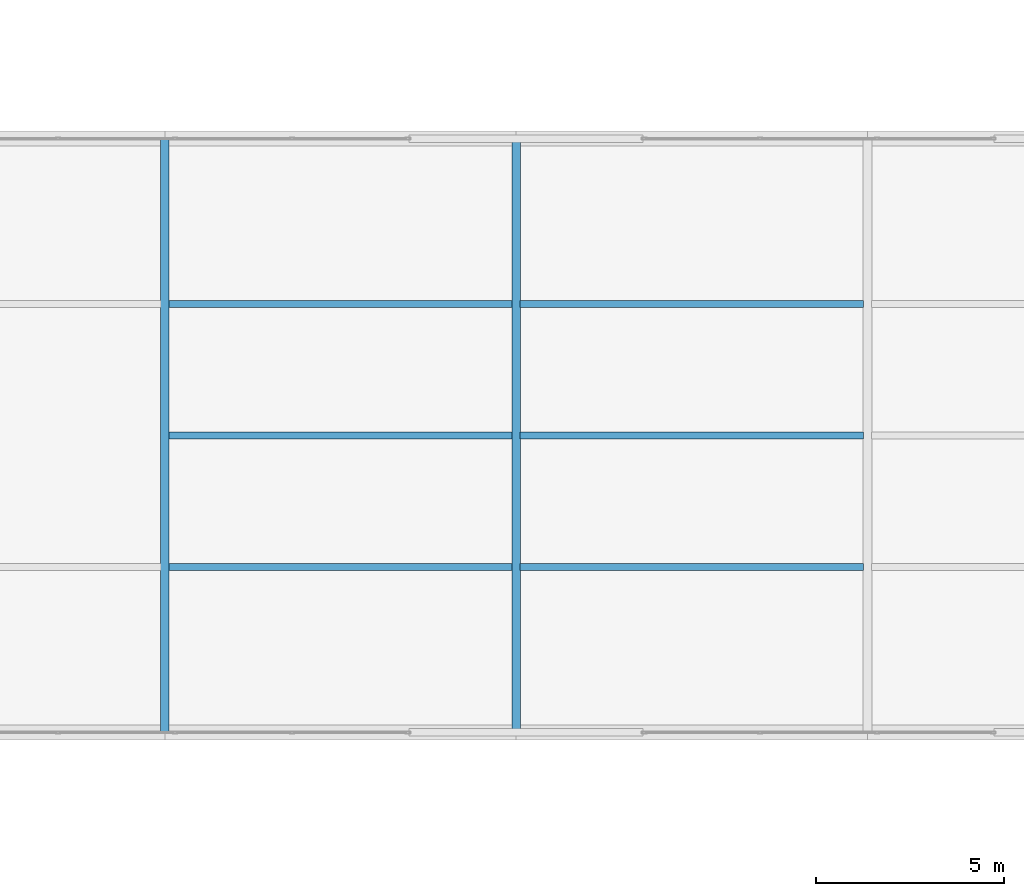
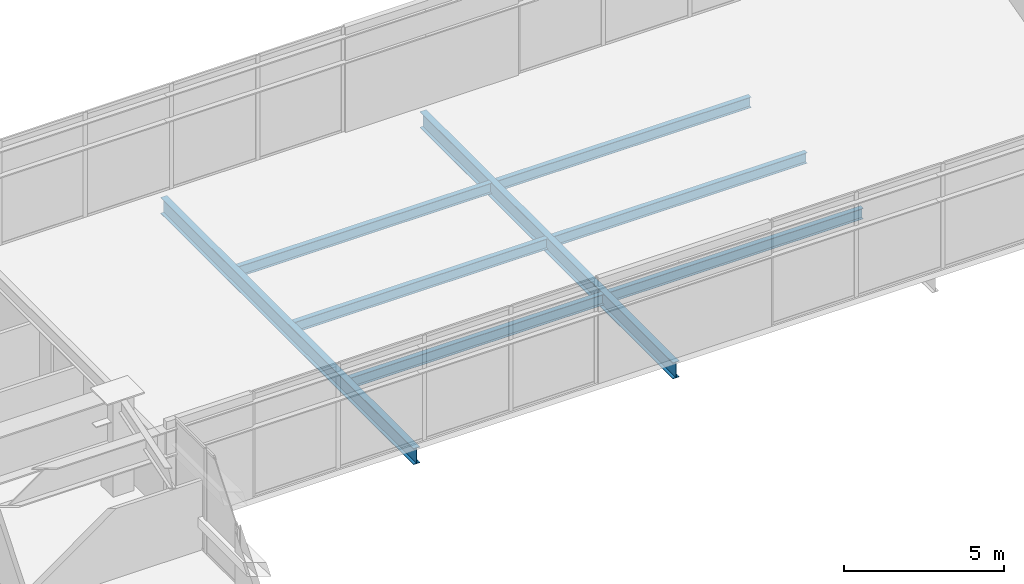
# One storey, part 23 of 51: 8 beams.
"""IFC4 building model written with IfcOpenShell, lengths in metres."""

from ifc_helpers import new_model, si_unit, direction, frame, origin, origin_2d, place, context, subcontext, project, spatial, i_section, extrude, material, material_profile, profile_set, type_object, element, save


model = new_model("IFC4")

# Units and contexts
model_context = context("Model", 3, precision=1e-05, world=origin(), true_north=direction((0.0, 1.0)))
body_context = subcontext(model_context, "Body", "Model", "MODEL_VIEW")
ifc_project = project(units=[si_unit("LENGTHUNIT", "METRE"), si_unit("AREAUNIT", "SQUARE_METRE"), si_unit("VOLUMEUNIT", "CUBIC_METRE"), si_unit("PLANEANGLEUNIT", "RADIAN"), si_unit("MASSUNIT", "GRAM", prefix="KILO")], contexts=[model_context])

# Site, building, storey
site_placement = place(None, origin())
site = spatial("IfcSite", under=ifc_project, at=site_placement, CompositionType="ELEMENT")
building_placement = place(site_placement, origin())
building = spatial("IfcBuilding", under=site, at=building_placement, Name="Tashvorn Skyway Center", CompositionType="ELEMENT")
storey_placement = place(building_placement, frame((0.0, 0.0, 259.39990234375)))
storey = spatial("IfcBuildingStorey", under=building, at=storey_placement, Name="L70", CompositionType="ELEMENT", Elevation=259.39990234375)

# Beams
ifc_material = material(Name="Steel ASTM A992 Grade 50", Category="steel")
ifc_material_profile_1 = material_profile(ifc_material, i_section(OverallWidth=0.22998046875, OverallDepth=0.616943359375, WebThickness=0.01318359375, FlangeThickness=0.022216796875, at=origin_2d()), Name="W24X94")
ifc_profile_set_1 = profile_set([ifc_material_profile_1], Name="Steel ASTM A992 Grade 50")
beam_type_1 = type_object("IfcBeamType", Name="BM-BEAM-W24X94", PredefinedType="BEAM", material=ifc_profile_set_1)
for number, where, z_axis, x_axis, name in (
    (1, (66.39990234375, 24.10009765625, -0.5283203125), (0.0, 1.0, 0.0), (-1.0, 0.0, 0.0), "Sky-Park L70 Transverse Floor Beam 07"),
    (2, (75.75, 24.10009765625, -0.5283203125), (0.0, 1.0, 0.0), (-1.0, 0.0, 0.0), "Sky-Park L70 Transverse Floor Beam 08"),
):
    element("IfcBeam", number, at=place(storey_placement, frame(where, z_axis=z_axis, x_axis=x_axis)), inside=storey, type_object=beam_type_1, Name=name, PredefinedType="BEAM", context=body_context, shape_type="SweptSolid", body=[
        extrude(i_section(OverallWidth=0.22998046875, OverallDepth=0.616943359375, WebThickness=0.01318359375, FlangeThickness=0.022216796875, at=origin_2d()), origin(), (0.0, 0.0, 1.0), 15.7998046875),
    ])
ifc_material_profile_2 = material_profile(ifc_material, i_section(OverallWidth=0.177978515625, OverallDepth=0.406005859375, WebThickness=0.0078125, FlangeThickness=0.0126953125, at=origin_2d()), Name="W16X40")
ifc_profile_set_2 = profile_set([ifc_material_profile_2], Name="Steel ASTM A992 Grade 50")
beam_type_2 = type_object("IfcBeamType", Name="BM-JOIST-W16X40", PredefinedType="JOIST", material=ifc_profile_set_2)
for number, where, z_axis, x_axis, name in (
    (3, (66.507080078125, 28.5, -0.4228515625), (1.0, 0.0, 0.0), (0.0, 1.0, 0.0), "Sky-Park L70 Longitudinal Joist 07-1"),
    (4, (66.507080078125, 32.0, -0.4228515625), (1.0, 0.0, 0.0), (0.0, 1.0, 0.0), "Sky-Park L70 Longitudinal Joist 07-2"),
    (5, (66.507080078125, 35.5, -0.4228515625), (1.0, 0.0, 0.0), (0.0, 1.0, 0.0), "Sky-Park L70 Longitudinal Joist 07-3"),
    (6, (75.85693359375, 28.5, -0.4228515625), (1.0, 0.0, 0.0), (0.0, 1.0, 0.0), "Sky-Park L70 Longitudinal Joist 08-1"),
    (7, (75.85693359375, 32.0, -0.4228515625), (1.0, 0.0, 0.0), (0.0, 1.0, 0.0), "Sky-Park L70 Longitudinal Joist 08-2"),
    (8, (75.85693359375, 35.5, -0.4228515625), (1.0, 0.0, 0.0), (0.0, 1.0, 0.0), "Sky-Park L70 Longitudinal Joist 08-3"),
):
    element("IfcBeam", number, at=place(storey_placement, frame(where, z_axis=z_axis, x_axis=x_axis)), inside=storey, type_object=beam_type_2, Name=name, PredefinedType="JOIST", context=body_context, shape_type="SweptSolid", body=[
        extrude(i_section(OverallWidth=0.177978515625, OverallDepth=0.406005859375, WebThickness=0.0078125, FlangeThickness=0.0126953125, at=origin_2d()), origin(), (0.0, 0.0, 1.0), 9.135986328125),
    ])

save(model, "model.ifc")
